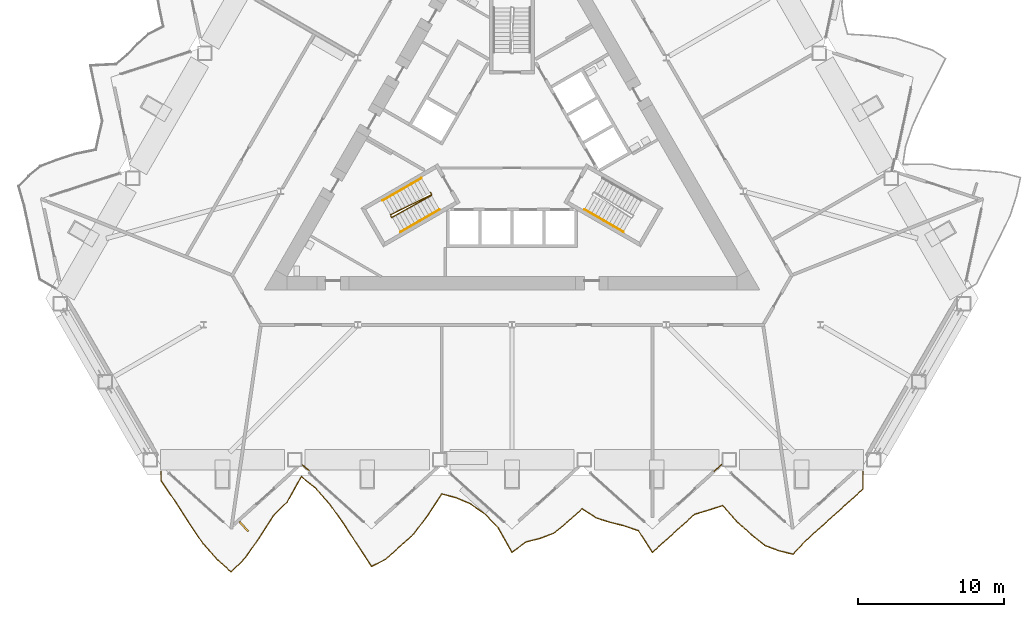
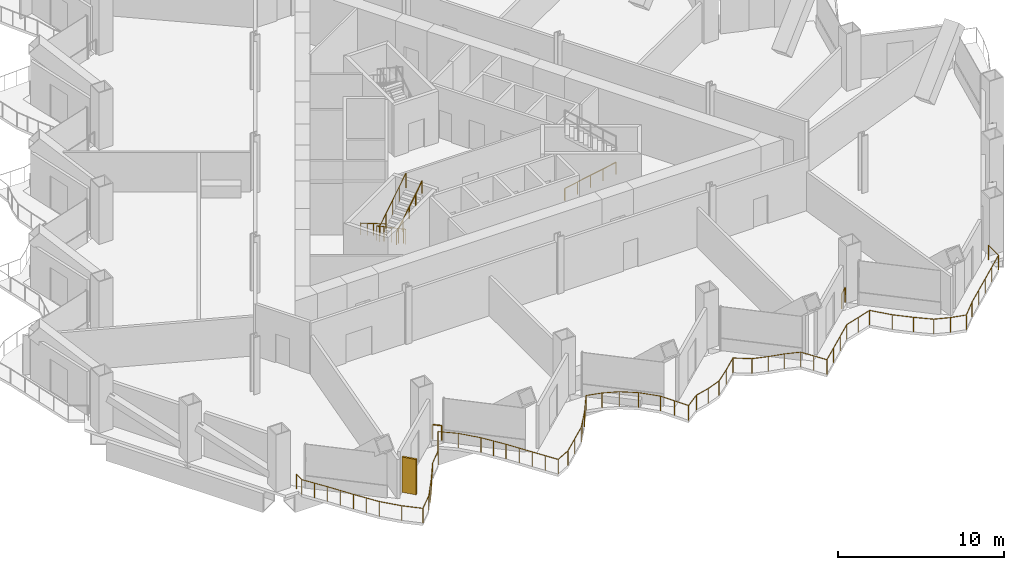
# One storey, part 17 of 22: 7 railings, 1 shading device.
"""IFC4 building model written with IfcOpenShell, lengths in metres."""

from ifc_helpers import new_model, si_unit, direction, frame, origin, origin_2d, place, context, subcontext, project, spatial, rectangle, circle, extrude, material, layer, layer_set, type_object, element, save


model = new_model("IFC4")

# Units and contexts
model_context = context("Model", 3, precision=1e-05, world=origin(), true_north=direction((0.0, 1.0)))
body_context = subcontext(model_context, "Body", "Model", "MODEL_VIEW")
ifc_project = project(units=[si_unit("LENGTHUNIT", "METRE"), si_unit("AREAUNIT", "SQUARE_METRE"), si_unit("VOLUMEUNIT", "CUBIC_METRE"), si_unit("PLANEANGLEUNIT", "RADIAN"), si_unit("MASSUNIT", "GRAM", prefix="KILO")], contexts=[model_context])

# Site, building, storey
site_placement = place(None, origin())
site = spatial("IfcSite", under=ifc_project, at=site_placement, CompositionType="ELEMENT")
building_placement = place(site_placement, origin())
building = spatial("IfcBuilding", under=site, at=building_placement, Name="Cormorant Prow Tower", CompositionType="ELEMENT")
storey_placement = place(building_placement, frame((0.0, 0.0, 30.0)))
storey = spatial("IfcBuildingStorey", under=building, at=storey_placement, Name="L05", CompositionType="ELEMENT", Elevation=30.0)

# Railings
ifc_material_1 = material(Name="Aluminium 6063-T6", Category="aluminium")
railing_type_1 = type_object("IfcRailingType", Name="Balcony guard 1100", PredefinedType="GUARDRAIL", material=ifc_material_1)
railing_1_placement = place(storey_placement, frame((-24.087890625, -22.2685546875, 0.0)))
element("IfcRailing", 1, at=railing_1_placement, inside=storey, type_object=railing_type_1, Name="Balcony guard S", PredefinedType="GUARDRAIL", context=body_context, shape_type="SweptSolid", body=[
    extrude(circle(Radius=0.02392578125, at=origin_2d()), frame((0.0, 0.0, 1.076171875), z_axis=(0.0, -1.0, 0.0), x_axis=(1.0, 0.0, 0.0)), (0.0, 0.0, 1.0), 0.63623046875),
    extrude(circle(Radius=0.02392578125, at=origin_2d()), frame((0.0, -0.63623046875, 1.076171875), z_axis=(0.564130420865, -0.825685695804, 0.0), x_axis=(0.825685695804, 0.564130420865, 0.0)), (0.0, 0.0, 1.0), 1.708251953125),
    extrude(circle(Radius=0.02392578125, at=origin_2d()), frame((0.963623046875, -2.046630859375, 1.076171875), z_axis=(0.541242645962, -0.840866456812, 0.0), x_axis=(0.840866456812, 0.541242645962, 0.0)), (0.0, 0.0, 1.0), 1.7802734375),
    extrude(circle(Radius=0.02392578125, at=origin_2d()), frame((1.92724609375, -3.543701171875, 1.076171875), z_axis=(0.560389601216, -0.828229131853, 0.0), x_axis=(0.828229131853, 0.560389601216, 0.0)), (0.0, 0.0, 1.0), 1.71923828125),
    extrude(circle(Radius=0.02392578125, at=origin_2d()), frame((2.890625, -4.967529296875, 1.076171875), z_axis=(0.668253524619, -0.743933617223, 0.0), x_axis=(0.743933617223, 0.668253524619, 0.0)), (0.0, 0.0, 1.0), 1.44189453125),
    extrude(circle(Radius=0.02392578125, at=origin_2d()), frame((3.854248046875, -6.040283203125, 1.076171875), z_axis=(0.743050653284, -0.669235180378, 0.0), x_axis=(0.669235180378, 0.743050653284, 0.0)), (0.0, 0.0, 1.0), 1.296630859375),
    extrude(circle(Radius=0.02392578125, at=origin_2d()), frame((4.817626953125, -6.907958984375, 1.076171875), z_axis=(0.708182499572, 0.70602942382, 0.0), x_axis=(-0.70602942382, 0.708182499572, 0.0)), (0.0, 0.0, 1.0), 1.360595703125),
    extrude(circle(Radius=0.02392578125, at=origin_2d()), frame((5.78125, -5.947265625, 1.076171875), z_axis=(0.572245109374, 0.820082639005, 0.0), x_axis=(-0.820082639005, 0.572245109374, 0.0)), (0.0, 0.0, 1.0), 1.68359375),
    extrude(circle(Radius=0.02392578125, at=origin_2d()), frame((6.74462890625, -4.566650390625, 1.076171875), z_axis=(0.542180058603, 0.840262330498, 0.0), x_axis=(-0.840262330498, 0.542180058603, 0.0)), (0.0, 0.0, 1.0), 1.77734375),
    extrude(circle(Radius=0.02392578125, at=origin_2d()), frame((7.708251953125, -3.0732421875, 1.076171875), z_axis=(0.699000899641, 0.715120788609, 0.0), x_axis=(-0.715120788609, 0.699000899641, 0.0)), (0.0, 0.0, 1.0), 1.378173828125),
    extrude(circle(Radius=0.02392578125, at=origin_2d()), frame((8.671630859375, -2.087646484375, 1.076171875), z_axis=(0.489672110006, 0.871906660533, 0.0), x_axis=(-0.871906660533, 0.489672110006, 0.0)), (0.0, 0.0, 1.0), 1.9677734375),
    extrude(circle(Radius=0.02392578125, at=origin_2d()), frame((9.63525390625, -0.371826171875, 1.076171875), z_axis=(0.780173921778, -0.625562668146, 0.0), x_axis=(0.625562668146, 0.780173921778, 0.0)), (0.0, 0.0, 1.0), 1.23486328125),
    extrude(circle(Radius=0.02392578125, at=origin_2d()), frame((10.5986328125, -1.144287109375, 1.076171875), z_axis=(0.663142839826, -0.748492868362, 0.0), x_axis=(0.748492868362, 0.663142839826, 0.0)), (0.0, 0.0, 1.0), 1.453125),
    extrude(circle(Radius=0.02392578125, at=origin_2d()), frame((11.562255859375, -2.23193359375, 1.076171875), z_axis=(0.581712103696, -0.813394755586, 0.0), x_axis=(0.813394755586, 0.581712103696, 0.0)), (0.0, 0.0, 1.0), 1.656494140625),
    extrude(circle(Radius=0.02392578125, at=origin_2d()), frame((12.52587890625, -3.579345703125, 1.076171875), z_axis=(0.54421734082, -0.83894426868, 0.0), x_axis=(0.83894426868, 0.54421734082, 0.0)), (0.0, 0.0, 1.0), 1.770263671875),
    extrude(circle(Radius=0.02392578125, at=origin_2d()), frame((13.4892578125, -5.064453125, 1.076171875), z_axis=(0.549133466839, -0.835734668179, 0.0), x_axis=(0.835734668179, 0.549133466839, 0.0)), (0.0, 0.0, 1.0), 1.7548828125),
    extrude(circle(Radius=0.02392578125, at=origin_2d()), frame((14.452880859375, -6.531005859375, 1.076171875), z_axis=(0.891060175297, 0.453885188126, 0.0), x_axis=(-0.453885188126, 0.891060175297, 0.0)), (0.0, 0.0, 1.0), 1.0810546875),
    extrude(circle(Radius=0.02392578125, at=origin_2d()), frame((15.416259765625, -6.040283203125, 1.076171875), z_axis=(0.743228601046, 0.669037552449, 0.0), x_axis=(-0.669037552449, 0.743228601046, 0.0)), (0.0, 0.0, 1.0), 1.296630859375),
    extrude(circle(Radius=0.02392578125, at=origin_2d()), frame((16.3798828125, -5.1728515625, 1.076171875), z_axis=(0.743050653284, 0.669235180378, 0.0), x_axis=(-0.669235180378, 0.743050653284, 0.0)), (0.0, 0.0, 1.0), 1.296630859375),
    extrude(circle(Radius=0.02392578125, at=origin_2d()), frame((17.34326171875, -4.30517578125, 1.076171875), z_axis=(0.601803731083, 0.798644019106, 0.0), x_axis=(-0.798644019106, 0.601803731083, 0.0)), (0.0, 0.0, 1.0), 1.601318359375),
    extrude(circle(Radius=0.02392578125, at=origin_2d()), frame((18.306884765625, -3.0263671875, 1.076171875), z_axis=(0.547570857213, 0.836759318042, 0.0), x_axis=(-0.836759318042, 0.547570857213, 0.0)), (0.0, 0.0, 1.0), 1.75927734375),
    extrude(circle(Radius=0.02392578125, at=origin_2d()), frame((19.270263671875, -1.55419921875, 1.076171875), z_axis=(0.966934765994, -0.255023838713, 0.0), x_axis=(0.255023838713, 0.966934765994, 0.0)), (0.0, 0.0, 1.0), 0.99658203125),
    extrude(circle(Radius=0.02392578125, at=origin_2d()), frame((20.23388671875, -1.808349609375, 1.076171875), z_axis=(0.923208352107, -0.384299803018, 0.0), x_axis=(0.384299803018, 0.923208352107, 0.0)), (0.0, 0.0, 1.0), 1.043701171875),
    extrude(circle(Radius=0.02392578125, at=origin_2d()), frame((21.197509765625, -2.20947265625, 1.076171875), z_axis=(0.822469724274, -0.568808889393, 0.0), x_axis=(0.568808889393, 0.822469724274, 0.0)), (0.0, 0.0, 1.0), 1.17138671875),
    extrude(circle(Radius=0.02392578125, at=origin_2d()), frame((22.160888671875, -2.875732421875, 1.076171875), z_axis=(0.700066090951, -0.714078054768, 0.0), x_axis=(0.714078054768, 0.700066090951, 0.0)), (0.0, 0.0, 1.0), 1.37646484375),
    extrude(circle(Radius=0.02392578125, at=origin_2d()), frame((23.12451171875, -3.858642578125, 1.076171875), z_axis=(0.493201776471, -0.869914942788, 0.0), x_axis=(0.869914942788, 0.493201776471, 0.0)), (0.0, 0.0, 1.0), 1.953369140625),
    extrude(circle(Radius=0.02392578125, at=origin_2d()), frame((24.087890625, -5.557861328125, 1.076171875), z_axis=(0.805112244853, 0.593122477392, 0.0), x_axis=(-0.593122477392, 0.805112244853, 0.0)), (0.0, 0.0, 1.0), 1.196533203125),
    extrude(circle(Radius=0.02392578125, at=origin_2d()), frame((25.05126953125, -4.84814453125, 1.076171875), z_axis=(0.969371980339, 0.245597157421, 0.0), x_axis=(-0.245597157421, 0.969371980339, 0.0)), (0.0, 0.0, 1.0), 0.994140625),
    extrude(circle(Radius=0.02392578125, at=origin_2d()), frame((26.014892578125, -4.60400390625, 1.076171875), z_axis=(0.934742672435, 0.355325394996, 0.0), x_axis=(-0.355325394996, 0.934742672435, 0.0)), (0.0, 0.0, 1.0), 1.030517578125),
    extrude(circle(Radius=0.02392578125, at=origin_2d()), frame((26.978271484375, -4.23779296875, 1.076171875), z_axis=(0.769386385449, 0.63878368004, 0.0), x_axis=(-0.63878368004, 0.769386385449, 0.0)), (0.0, 0.0, 1.0), 1.25244140625),
    extrude(circle(Radius=0.02392578125, at=origin_2d()), frame((27.94189453125, -3.437744140625, 1.076171875), z_axis=(0.743134972725, 0.669141548787, 0.0), x_axis=(-0.669141548787, 0.743134972725, 0.0)), (0.0, 0.0, 1.0), 1.296630859375),
    extrude(circle(Radius=0.02392578125, at=origin_2d()), frame((28.905517578125, -2.570068359375, 1.076171875), z_axis=(0.836102577641, -0.548573130642, 0.0), x_axis=(0.548573130642, 0.836102577641, 0.0)), (0.0, 0.0, 1.0), 1.15234375),
    extrude(circle(Radius=0.02392578125, at=origin_2d()), frame((29.868896484375, -3.2021484375, 1.076171875), z_axis=(0.954165439389, -0.299279658972, 0.0), x_axis=(0.299279658972, 0.954165439389, 0.0)), (0.0, 0.0, 1.0), 1.010009765625),
    extrude(circle(Radius=0.02392578125, at=origin_2d()), frame((30.83251953125, -3.50439453125, 1.076171875), z_axis=(0.970632462035, -0.240567295456, 0.0), x_axis=(0.240567295456, 0.970632462035, 0.0)), (0.0, 0.0, 1.0), 0.992431640625),
    extrude(circle(Radius=0.02392578125, at=origin_2d()), frame((31.7958984375, -3.7431640625, 1.076171875), z_axis=(0.944487111612, -0.328548468265, 0.0), x_axis=(0.328548468265, 0.944487111612, 0.0)), (0.0, 0.0, 1.0), 1.020263671875),
    extrude(circle(Radius=0.02392578125, at=origin_2d()), frame((32.759521484375, -4.078369140625, 1.076171875), z_axis=(0.545668654747, -0.838001025791, 0.0), x_axis=(0.838001025791, 0.545668654747, 0.0)), (0.0, 0.0, 1.0), 1.765380859375),
    extrude(circle(Radius=0.02392578125, at=origin_2d()), frame((33.722900390625, -5.557861328125, 1.076171875), z_axis=(0.743134972725, 0.669141548787, 0.0), x_axis=(-0.669141548787, 0.743134972725, 0.0)), (0.0, 0.0, 1.0), 1.296630859375),
    extrude(circle(Radius=0.02392578125, at=origin_2d()), frame((34.6865234375, -4.690185546875, 1.076171875), z_axis=(0.743144297188, 0.669131193084, 0.0), x_axis=(-0.669131193084, 0.743144297188, 0.0)), (0.0, 0.0, 1.0), 1.29638671875),
    extrude(circle(Radius=0.02392578125, at=origin_2d()), frame((35.64990234375, -3.82275390625, 1.076171875), z_axis=(0.743134972725, 0.669141548787, 0.0), x_axis=(-0.669141548787, 0.743134972725, 0.0)), (0.0, 0.0, 1.0), 1.296630859375),
    extrude(circle(Radius=0.02392578125, at=origin_2d()), frame((36.613525390625, -2.955078125, 1.076171875), z_axis=(0.956893812286, 0.290438000283, 0.0), x_axis=(-0.290438000283, 0.956893812286, 0.0)), (0.0, 0.0, 1.0), 1.007080078125),
    extrude(circle(Radius=0.02392578125, at=origin_2d()), frame((37.5771484375, -2.66259765625, 1.076171875), z_axis=(0.952474581645, 0.304618074515, 0.0), x_axis=(-0.304618074515, 0.952474581645, 0.0)), (0.0, 0.0, 1.0), 1.011474609375),
    extrude(circle(Radius=0.02392578125, at=origin_2d()), frame((38.54052734375, -2.3544921875, 1.076171875), z_axis=(0.664645994415, -0.747158418348, 0.0), x_axis=(0.747158418348, 0.664645994415, 0.0)), (0.0, 0.0, 1.0), 1.44970703125),
    extrude(circle(Radius=0.02392578125, at=origin_2d()), frame((39.504150390625, -3.437744140625, 1.076171875), z_axis=(0.743144297188, -0.669131193084, 0.0), x_axis=(0.669131193084, 0.743144297188, 0.0)), (0.0, 0.0, 1.0), 1.29638671875),
    extrude(circle(Radius=0.02392578125, at=origin_2d()), frame((40.467529296875, -4.30517578125, 1.076171875), z_axis=(0.775819307807, -0.630955150256, 0.0), x_axis=(0.630955150256, 0.775819307807, 0.0)), (0.0, 0.0, 1.0), 1.2421875),
    extrude(circle(Radius=0.02392578125, at=origin_2d()), frame((41.43115234375, -5.0888671875, 1.076171875), z_axis=(0.937321115952, -0.348466821364, 0.0), x_axis=(0.348466821364, 0.937321115952, 0.0)), (0.0, 0.0, 1.0), 1.02783203125),
    extrude(circle(Radius=0.02392578125, at=origin_2d()), frame((42.39453125, -5.447021484375, 1.076171875), z_axis=(0.969780099209, -0.243980653285, 0.0), x_axis=(0.243980653285, 0.969780099209, 0.0)), (0.0, 0.0, 1.0), 0.99365234375),
    extrude(circle(Radius=0.02392578125, at=origin_2d()), frame((43.358154296875, -5.689453125, 1.076171875), z_axis=(0.694060700368, 0.719916484188, 0.0), x_axis=(-0.719916484188, 0.694060700368, 0.0)), (0.0, 0.0, 1.0), 1.387939453125),
    extrude(circle(Radius=0.02392578125, at=origin_2d()), frame((44.321533203125, -4.690185546875, 1.076171875), z_axis=(0.743228601046, 0.669037552449, 0.0), x_axis=(-0.669037552449, 0.743228601046, 0.0)), (0.0, 0.0, 1.0), 1.296630859375),
    extrude(circle(Radius=0.02392578125, at=origin_2d()), frame((45.28515625, -3.82275390625, 1.076171875), z_axis=(0.743050653284, 0.669235180378, 0.0), x_axis=(-0.669235180378, 0.743050653284, 0.0)), (0.0, 0.0, 1.0), 1.296630859375),
    extrude(circle(Radius=0.02392578125, at=origin_2d()), frame((46.24853515625, -2.955078125, 1.076171875), z_axis=(0.743228601046, 0.669037552449, 0.0), x_axis=(-0.669037552449, 0.743228601046, 0.0)), (0.0, 0.0, 1.0), 1.296630859375),
    extrude(circle(Radius=0.02392578125, at=origin_2d()), frame((47.212158203125, -2.087646484375, 1.076171875), z_axis=(0.743134972725, 0.669141548787, 0.0), x_axis=(-0.669141548787, 0.743134972725, 0.0)), (0.0, 0.0, 1.0), 1.296630859375),
    extrude(circle(Radius=0.02392578125, at=origin_2d()), frame((48.17578125, -1.219970703125, 1.076171875), z_axis=(0.0, 1.0, 0.0), x_axis=(-1.0, 0.0, 0.0)), (0.0, 0.0, 1.0), 1.219970703125),
    extrude(circle(Radius=0.02099609375, at=origin_2d()), origin(), (0.0, 0.0, 1.0), 1.052001953125),
    extrude(circle(Radius=0.02099609375, at=origin_2d()), frame((0.0, -0.63623046875, 0.0)), (0.0, 0.0, 1.0), 1.052001953125),
    extrude(circle(Radius=0.02099609375, at=origin_2d()), frame((0.48193359375, -1.34130859375, 0.0)), (0.0, 0.0, 1.0), 1.052001953125),
    extrude(circle(Radius=0.02099609375, at=origin_2d()), frame((0.963623046875, -2.046630859375, 0.0)), (0.0, 0.0, 1.0), 1.052001953125),
    extrude(circle(Radius=0.02099609375, at=origin_2d()), frame((1.4453125, -2.795166015625, 0.0)), (0.0, 0.0, 1.0), 1.052001953125),
    extrude(circle(Radius=0.02099609375, at=origin_2d()), frame((1.92724609375, -3.543701171875, 0.0)), (0.0, 0.0, 1.0), 1.052001953125),
    extrude(circle(Radius=0.02099609375, at=origin_2d()), frame((2.408935546875, -4.255615234375, 0.0)), (0.0, 0.0, 1.0), 1.052001953125),
    extrude(circle(Radius=0.02099609375, at=origin_2d()), frame((2.890625, -4.967529296875, 0.0)), (0.0, 0.0, 1.0), 1.052001953125),
    extrude(circle(Radius=0.02099609375, at=origin_2d()), frame((3.854248046875, -6.040283203125, 0.0)), (0.0, 0.0, 1.0), 1.052001953125),
    extrude(circle(Radius=0.02099609375, at=origin_2d()), frame((4.817626953125, -6.907958984375, 0.0)), (0.0, 0.0, 1.0), 1.052001953125),
    extrude(circle(Radius=0.02099609375, at=origin_2d()), frame((5.78125, -5.947265625, 0.0)), (0.0, 0.0, 1.0), 1.052001953125),
    extrude(circle(Radius=0.02099609375, at=origin_2d()), frame((6.262939453125, -5.2568359375, 0.0)), (0.0, 0.0, 1.0), 1.052001953125),
    extrude(circle(Radius=0.02099609375, at=origin_2d()), frame((6.74462890625, -4.566650390625, 0.0)), (0.0, 0.0, 1.0), 1.052001953125),
    extrude(circle(Radius=0.02099609375, at=origin_2d()), frame((7.2265625, -3.81982421875, 0.0)), (0.0, 0.0, 1.0), 1.052001953125),
    extrude(circle(Radius=0.02099609375, at=origin_2d()), frame((7.708251953125, -3.0732421875, 0.0)), (0.0, 0.0, 1.0), 1.052001953125),
    extrude(circle(Radius=0.02099609375, at=origin_2d()), frame((8.671630859375, -2.087646484375, 0.0)), (0.0, 0.0, 1.0), 1.052001953125),
    extrude(circle(Radius=0.02099609375, at=origin_2d()), frame((9.1533203125, -1.229736328125, 0.0)), (0.0, 0.0, 1.0), 1.052001953125),
    extrude(circle(Radius=0.02099609375, at=origin_2d()), frame((9.63525390625, -0.371826171875, 0.0)), (0.0, 0.0, 1.0), 1.052001953125),
    extrude(circle(Radius=0.02099609375, at=origin_2d()), frame((10.5986328125, -1.144287109375, 0.0)), (0.0, 0.0, 1.0), 1.052001953125),
    extrude(circle(Radius=0.02099609375, at=origin_2d()), frame((11.562255859375, -2.23193359375, 0.0)), (0.0, 0.0, 1.0), 1.052001953125),
    extrude(circle(Radius=0.02099609375, at=origin_2d()), frame((12.0439453125, -2.90576171875, 0.0)), (0.0, 0.0, 1.0), 1.052001953125),
    extrude(circle(Radius=0.02099609375, at=origin_2d()), frame((12.52587890625, -3.579345703125, 0.0)), (0.0, 0.0, 1.0), 1.052001953125),
    extrude(circle(Radius=0.02099609375, at=origin_2d()), frame((13.007568359375, -4.32177734375, 0.0)), (0.0, 0.0, 1.0), 1.052001953125),
    extrude(circle(Radius=0.02099609375, at=origin_2d()), frame((13.4892578125, -5.064453125, 0.0)), (0.0, 0.0, 1.0), 1.052001953125),
    extrude(circle(Radius=0.02099609375, at=origin_2d()), frame((13.97119140625, -5.7978515625, 0.0)), (0.0, 0.0, 1.0), 1.052001953125),
    extrude(circle(Radius=0.02099609375, at=origin_2d()), frame((14.452880859375, -6.531005859375, 0.0)), (0.0, 0.0, 1.0), 1.052001953125),
    extrude(circle(Radius=0.02099609375, at=origin_2d()), frame((15.416259765625, -6.040283203125, 0.0)), (0.0, 0.0, 1.0), 1.052001953125),
    extrude(circle(Radius=0.02099609375, at=origin_2d()), frame((16.3798828125, -5.1728515625, 0.0)), (0.0, 0.0, 1.0), 1.052001953125),
    extrude(circle(Radius=0.02099609375, at=origin_2d()), frame((17.34326171875, -4.30517578125, 0.0)), (0.0, 0.0, 1.0), 1.052001953125),
    extrude(circle(Radius=0.02099609375, at=origin_2d()), frame((17.8251953125, -3.665771484375, 0.0)), (0.0, 0.0, 1.0), 1.052001953125),
    extrude(circle(Radius=0.02099609375, at=origin_2d()), frame((18.306884765625, -3.0263671875, 0.0)), (0.0, 0.0, 1.0), 1.052001953125),
    extrude(circle(Radius=0.02099609375, at=origin_2d()), frame((18.78857421875, -2.290283203125, 0.0)), (0.0, 0.0, 1.0), 1.052001953125),
    extrude(circle(Radius=0.02099609375, at=origin_2d()), frame((19.270263671875, -1.55419921875, 0.0)), (0.0, 0.0, 1.0), 1.052001953125),
    extrude(circle(Radius=0.02099609375, at=origin_2d()), frame((20.23388671875, -1.808349609375, 0.0)), (0.0, 0.0, 1.0), 1.052001953125),
    extrude(circle(Radius=0.02099609375, at=origin_2d()), frame((21.197509765625, -2.20947265625, 0.0)), (0.0, 0.0, 1.0), 1.052001953125),
    extrude(circle(Radius=0.02099609375, at=origin_2d()), frame((22.160888671875, -2.875732421875, 0.0)), (0.0, 0.0, 1.0), 1.052001953125),
    extrude(circle(Radius=0.02099609375, at=origin_2d()), frame((23.12451171875, -3.858642578125, 0.0)), (0.0, 0.0, 1.0), 1.052001953125),
    extrude(circle(Radius=0.02099609375, at=origin_2d()), frame((23.606201171875, -4.708251953125, 0.0)), (0.0, 0.0, 1.0), 1.052001953125),
    extrude(circle(Radius=0.02099609375, at=origin_2d()), frame((24.087890625, -5.557861328125, 0.0)), (0.0, 0.0, 1.0), 1.052001953125),
    extrude(circle(Radius=0.02099609375, at=origin_2d()), frame((25.05126953125, -4.84814453125, 0.0)), (0.0, 0.0, 1.0), 1.052001953125),
    extrude(circle(Radius=0.02099609375, at=origin_2d()), frame((26.014892578125, -4.60400390625, 0.0)), (0.0, 0.0, 1.0), 1.052001953125),
    extrude(circle(Radius=0.02099609375, at=origin_2d()), frame((26.978271484375, -4.23779296875, 0.0)), (0.0, 0.0, 1.0), 1.052001953125),
    extrude(circle(Radius=0.02099609375, at=origin_2d()), frame((27.94189453125, -3.437744140625, 0.0)), (0.0, 0.0, 1.0), 1.052001953125),
    extrude(circle(Radius=0.02099609375, at=origin_2d()), frame((28.905517578125, -2.570068359375, 0.0)), (0.0, 0.0, 1.0), 1.052001953125),
    extrude(circle(Radius=0.02099609375, at=origin_2d()), frame((29.868896484375, -3.2021484375, 0.0)), (0.0, 0.0, 1.0), 1.052001953125),
    extrude(circle(Radius=0.02099609375, at=origin_2d()), frame((30.83251953125, -3.50439453125, 0.0)), (0.0, 0.0, 1.0), 1.052001953125),
    extrude(circle(Radius=0.02099609375, at=origin_2d()), frame((31.7958984375, -3.7431640625, 0.0)), (0.0, 0.0, 1.0), 1.052001953125),
    extrude(circle(Radius=0.02099609375, at=origin_2d()), frame((32.759521484375, -4.078369140625, 0.0)), (0.0, 0.0, 1.0), 1.052001953125),
    extrude(circle(Radius=0.02099609375, at=origin_2d()), frame((33.2412109375, -4.818115234375, 0.0)), (0.0, 0.0, 1.0), 1.052001953125),
    extrude(circle(Radius=0.02099609375, at=origin_2d()), frame((33.722900390625, -5.557861328125, 0.0)), (0.0, 0.0, 1.0), 1.052001953125),
    extrude(circle(Radius=0.02099609375, at=origin_2d()), frame((34.6865234375, -4.690185546875, 0.0)), (0.0, 0.0, 1.0), 1.052001953125),
    extrude(circle(Radius=0.02099609375, at=origin_2d()), frame((35.64990234375, -3.82275390625, 0.0)), (0.0, 0.0, 1.0), 1.052001953125),
    extrude(circle(Radius=0.02099609375, at=origin_2d()), frame((36.613525390625, -2.955078125, 0.0)), (0.0, 0.0, 1.0), 1.052001953125),
    extrude(circle(Radius=0.02099609375, at=origin_2d()), frame((37.5771484375, -2.66259765625, 0.0)), (0.0, 0.0, 1.0), 1.052001953125),
    extrude(circle(Radius=0.02099609375, at=origin_2d()), frame((38.54052734375, -2.3544921875, 0.0)), (0.0, 0.0, 1.0), 1.052001953125),
    extrude(circle(Radius=0.02099609375, at=origin_2d()), frame((39.504150390625, -3.437744140625, 0.0)), (0.0, 0.0, 1.0), 1.052001953125),
    extrude(circle(Radius=0.02099609375, at=origin_2d()), frame((40.467529296875, -4.30517578125, 0.0)), (0.0, 0.0, 1.0), 1.052001953125),
    extrude(circle(Radius=0.02099609375, at=origin_2d()), frame((41.43115234375, -5.0888671875, 0.0)), (0.0, 0.0, 1.0), 1.052001953125),
    extrude(circle(Radius=0.02099609375, at=origin_2d()), frame((42.39453125, -5.447021484375, 0.0)), (0.0, 0.0, 1.0), 1.052001953125),
    extrude(circle(Radius=0.02099609375, at=origin_2d()), frame((43.358154296875, -5.689453125, 0.0)), (0.0, 0.0, 1.0), 1.052001953125),
    extrude(circle(Radius=0.02099609375, at=origin_2d()), frame((44.321533203125, -4.690185546875, 0.0)), (0.0, 0.0, 1.0), 1.052001953125),
    extrude(circle(Radius=0.02099609375, at=origin_2d()), frame((45.28515625, -3.82275390625, 0.0)), (0.0, 0.0, 1.0), 1.052001953125),
    extrude(circle(Radius=0.02099609375, at=origin_2d()), frame((46.24853515625, -2.955078125, 0.0)), (0.0, 0.0, 1.0), 1.052001953125),
    extrude(circle(Radius=0.02099609375, at=origin_2d()), frame((47.212158203125, -2.087646484375, 0.0)), (0.0, 0.0, 1.0), 1.052001953125),
    extrude(circle(Radius=0.02099609375, at=origin_2d()), frame((48.17578125, -1.219970703125, 0.0)), (0.0, 0.0, 1.0), 1.052001953125),
    extrude(circle(Radius=0.02099609375, at=origin_2d()), frame((48.17578125, 0.0, 0.0)), (0.0, 0.0, 1.0), 1.052001953125),
])
ifc_material_2 = material(Name="Stainless steel", Category="steel")
railing_type_2 = type_object("IfcRailingType", Name="Facade corner guard 1100", PredefinedType="GUARDRAIL", material=ifc_material_2)
railing_2_placement = place(storey_placement, frame((-13.93310546875, -22.208984375, 0.0)))
element("IfcRailing", 2, at=railing_2_placement, inside=storey, type_object=railing_type_2, Name="Facade corner guard L05 2", PredefinedType="GUARDRAIL", context=body_context, shape_type="SweptSolid", body=[
    extrude(circle(Radius=0.02392578125, at=origin_2d()), frame((0.0, 0.0, 1.076171875), z_axis=(-0.76515059687, 0.643851352495, 0.0), x_axis=(-0.643851352495, -0.76515059687, 0.0)), (0.0, 0.0, 1.0), 0.581787109375),
    extrude(circle(Radius=0.02099609375, at=origin_2d()), origin(), (0.0, 0.0, 1.0), 1.052001953125),
    extrude(circle(Radius=0.02099609375, at=origin_2d()), frame((-0.445068359375, 0.37451171875, 0.0)), (0.0, 0.0, 1.0), 1.052001953125),
])
railing_3_placement = place(storey_placement, frame((14.378173828125, -21.8173828125, 0.0)))
element("IfcRailing", 3, at=railing_3_placement, inside=storey, type_object=railing_type_2, Name="Facade corner guard L05 5", PredefinedType="GUARDRAIL", context=body_context, shape_type="SweptSolid", body=[
    extrude(circle(Radius=0.02392578125, at=origin_2d()), frame((0.0, 0.0, 1.076171875), z_axis=(-0.744389721239, -0.667745417741, 0.0), x_axis=(0.667745417741, -0.744389721239, 0.0)), (0.0, 0.0, 1.0), 0.67529296875),
    extrude(circle(Radius=0.02099609375, at=origin_2d()), origin(), (0.0, 0.0, 1.0), 1.052001953125),
    extrude(circle(Radius=0.02099609375, at=origin_2d()), frame((-0.502685546875, -0.450927734375, 0.0)), (0.0, 0.0, 1.0), 1.052001953125),
])
ifc_material_3 = material(Name="Stainless steel", Category="steel")
railing_type_3 = type_object("IfcRailingType", Name="Stair guard 1100", PredefinedType="GUARDRAIL", material=ifc_material_3)
railing_4_placement = place(storey_placement, frame((-5.585205078125, -3.137939453125, 0.0)))
element("IfcRailing", 4, at=railing_4_placement, inside=storey, type_object=railing_type_3, Name="L05 ST1 stair guard 1", PredefinedType="GUARDRAIL", context=body_context, shape_type="SweptSolid", body=[
    extrude(circle(Radius=0.02392578125, at=origin_2d()), frame((0.0, 0.0, 1.076171875), z_axis=(0.501036270542, -0.865426285481, 0.0), x_axis=(0.865426285481, 0.501036270542, 0.0)), (0.0, 0.0, 1.0), 0.150146484375),
    extrude(circle(Radius=0.02392578125, at=origin_2d()), frame((0.0751953125, -0.1298828125, 1.076171875), z_axis=(-0.744644002882, -0.368732342607, 0.556364780057), x_axis=(0.443754251299, -0.896148516963, 0.0)), (0.0, 0.0, 1.0), 3.774658203125),
    extrude(circle(Radius=0.02392578125, at=origin_2d()), frame((-2.735595703125, -1.521728515625, 3.17626953125), z_axis=(0.274721127897, -0.961523947641, 0.0), x_axis=(0.961523947641, 0.274721127897, 0.0)), (0.0, 0.0, 1.0), 0.2060546875),
    extrude(circle(Radius=0.02392578125, at=origin_2d()), frame((-2.678955078125, -1.719970703125, 3.17626953125), z_axis=(0.725764528363, 0.403684660475, 0.557049857973), x_axis=(-0.486086505765, 0.873910698477, 0.0)), (0.0, 0.0, 1.0), 3.76953125),
    extrude(circle(Radius=0.02099609375, at=origin_2d()), origin(), (0.0, 0.0, 1.0), 1.052001953125),
    extrude(circle(Radius=0.02099609375, at=origin_2d()), frame((0.0751953125, -0.1298828125, 0.0)), (0.0, 0.0, 1.0), 1.052001953125),
    extrude(circle(Radius=0.02099609375, at=origin_2d()), frame((-0.62744140625, -0.477783203125, 0.52490234375)), (0.0, 0.0, 1.0), 1.052001953125),
    extrude(circle(Radius=0.02099609375, at=origin_2d()), frame((-1.330078125, -0.82568359375, 1.050048828125)), (0.0, 0.0, 1.0), 1.052001953125),
    extrude(circle(Radius=0.02099609375, at=origin_2d()), frame((-2.032958984375, -1.173828125, 1.5751953125)), (0.0, 0.0, 1.0), 1.052001953125),
    extrude(circle(Radius=0.02099609375, at=origin_2d()), frame((-2.735595703125, -1.521728515625, 2.10009765625)), (0.0, 0.0, 1.0), 1.052001953125),
    extrude(circle(Radius=0.02099609375, at=origin_2d()), frame((-2.678955078125, -1.719970703125, 2.10009765625)), (0.0, 0.0, 1.0), 1.052001953125),
    extrude(circle(Radius=0.02099609375, at=origin_2d()), frame((-1.9951171875, -1.339599609375, 2.625)), (0.0, 0.0, 1.0), 1.052001953125),
    extrude(circle(Radius=0.02099609375, at=origin_2d()), frame((-1.31103515625, -0.958984375, 3.14990234375)), (0.0, 0.0, 1.0), 1.052001953125),
    extrude(circle(Radius=0.02099609375, at=origin_2d()), frame((-0.626953125, -0.57861328125, 3.675048828125)), (0.0, 0.0, 1.0), 1.052001953125),
    extrude(circle(Radius=0.02099609375, at=origin_2d()), frame((0.056884765625, -0.1982421875, 4.199951171875)), (0.0, 0.0, 1.0), 1.052001953125),
])
ifc_material_4 = material(Name="Stainless steel", Category="steel")
railing_type_4 = type_object("IfcRailingType", Name="Stair handrail 900", PredefinedType="HANDRAIL", material=ifc_material_4)
railing_5_placement = place(storey_placement, frame((-6.212890625, -2.150634765625, 0.175048828125)))
element("IfcRailing", 5, at=railing_5_placement, inside=storey, type_object=railing_type_4, Name="L05 ST1 stair handrail 1", PredefinedType="HANDRAIL", context=body_context, shape_type="SweptSolid", body=[
    extrude(circle(Radius=0.02392578125, at=origin_2d()), frame((0.0, 0.0, 0.8759765625), z_axis=(-0.734394994316, -0.423994474112, 0.52999309264), x_axis=(0.499992328818, -0.866029832698, 0.0)), (0.0, 0.0, 1.0), 3.63232421875),
    extrude(circle(Radius=0.02099609375, at=origin_2d()), origin(), (0.0, 0.0, 1.0), 0.851806640625),
    extrude(circle(Radius=0.02099609375, at=origin_2d()), frame((-0.6669921875, -0.385009765625, 0.481201171875)), (0.0, 0.0, 1.0), 0.851806640625),
    extrude(circle(Radius=0.02099609375, at=origin_2d()), frame((-1.333740234375, -0.77001953125, 0.96240234375)), (0.0, 0.0, 1.0), 0.851806640625),
    extrude(circle(Radius=0.02099609375, at=origin_2d()), frame((-2.00048828125, -1.155029296875, 1.44384765625)), (0.0, 0.0, 1.0), 0.851806640625),
    extrude(circle(Radius=0.02099609375, at=origin_2d()), frame((-2.66748046875, -1.5400390625, 1.925048828125)), (0.0, 0.0, 1.0), 0.851806640625),
])
railing_6_placement = place(storey_placement, frame((-7.63623046875, -5.84521484375, 2.27490234375)))
element("IfcRailing", 6, at=railing_6_placement, inside=storey, type_object=railing_type_4, Name="L05 ST1 stair handrail 2", PredefinedType="HANDRAIL", context=body_context, shape_type="SweptSolid", body=[
    extrude(circle(Radius=0.02392578125, at=origin_2d()), frame((0.0, 0.0, 0.8759765625), z_axis=(0.734364028329, 0.424015404183, 0.530019255228), x_axis=(-0.500026652407, 0.866010015463, 0.0)), (0.0, 0.0, 1.0), 3.632080078125),
    extrude(circle(Radius=0.02099609375, at=origin_2d()), origin(), (0.0, 0.0, 1.0), 0.851806640625),
    extrude(circle(Radius=0.02099609375, at=origin_2d()), frame((0.666748046875, 0.385009765625, 0.481201171875)), (0.0, 0.0, 1.0), 0.851806640625),
    extrude(circle(Radius=0.02099609375, at=origin_2d()), frame((1.33349609375, 0.77001953125, 0.96240234375)), (0.0, 0.0, 1.0), 0.851806640625),
    extrude(circle(Radius=0.02099609375, at=origin_2d()), frame((2.00048828125, 1.155029296875, 1.44384765625)), (0.0, 0.0, 1.0), 0.851806640625),
    extrude(circle(Radius=0.02099609375, at=origin_2d()), frame((2.667236328125, 1.5400390625, 1.925048828125)), (0.0, 0.0, 1.0), 0.851806640625),
])
railing_7_placement = place(storey_placement, frame((4.968994140625, -4.30517578125, 0.175048828125)))
element("IfcRailing", 7, at=railing_7_placement, inside=storey, type_object=railing_type_4, Name="L05 ST2 stair handrail 1", PredefinedType="HANDRAIL", context=body_context, shape_type="SweptSolid", body=[
    extrude(circle(Radius=0.02392578125, at=origin_2d()), frame((0.0, 0.0, 0.8759765625), z_axis=(0.734364028329, -0.424015404183, 0.530019255228), x_axis=(0.500026652407, 0.866010015463, 0.0)), (0.0, 0.0, 1.0), 3.632080078125),
    extrude(circle(Radius=0.02099609375, at=origin_2d()), origin(), (0.0, 0.0, 1.0), 0.851806640625),
    extrude(circle(Radius=0.02099609375, at=origin_2d()), frame((0.666748046875, -0.385009765625, 0.481201171875)), (0.0, 0.0, 1.0), 0.851806640625),
    extrude(circle(Radius=0.02099609375, at=origin_2d()), frame((1.33349609375, -0.77001953125, 0.96240234375)), (0.0, 0.0, 1.0), 0.851806640625),
    extrude(circle(Radius=0.02099609375, at=origin_2d()), frame((2.00048828125, -1.155029296875, 1.44384765625)), (0.0, 0.0, 1.0), 0.851806640625),
    extrude(circle(Radius=0.02099609375, at=origin_2d()), frame((2.667236328125, -1.5400390625, 1.925048828125)), (0.0, 0.0, 1.0), 0.851806640625),
])

# Shading device
ifc_material_5 = material(Name="Terracotta", Category="masonry")
ifc_layer = layer(ifc_material_5, 0.1201171875)
ifc_layer_set = layer_set([ifc_layer], Name="Terracotta")
shading_device_type = type_object("IfcShadingDeviceType", Name="Terracotta baguette fin 120x900x2600", PredefinedType="USERDEFINED", material=ifc_layer_set)
shading_device_placement = place(storey_placement, frame((-18.402099609375, -26.05029296875, 0.0), z_axis=(0.0, 0.0, 1.0), x_axis=(0.743144833547, 0.669130597396, 0.0)))
element("IfcShadingDevice", 8, at=shading_device_placement, inside=storey, type_object=shading_device_type, Name="Baguette fin S01", ObjectType="BAGUETTE", PredefinedType="USERDEFINED", context=body_context, shape_type="SweptSolid", body=[
    extrude(rectangle(XDim=0.1201171875, YDim=0.89990234375, at=origin_2d()), origin(), (0.0, 0.0, 1.0), 2.60009765625),
])

save(model, "model.ifc")
